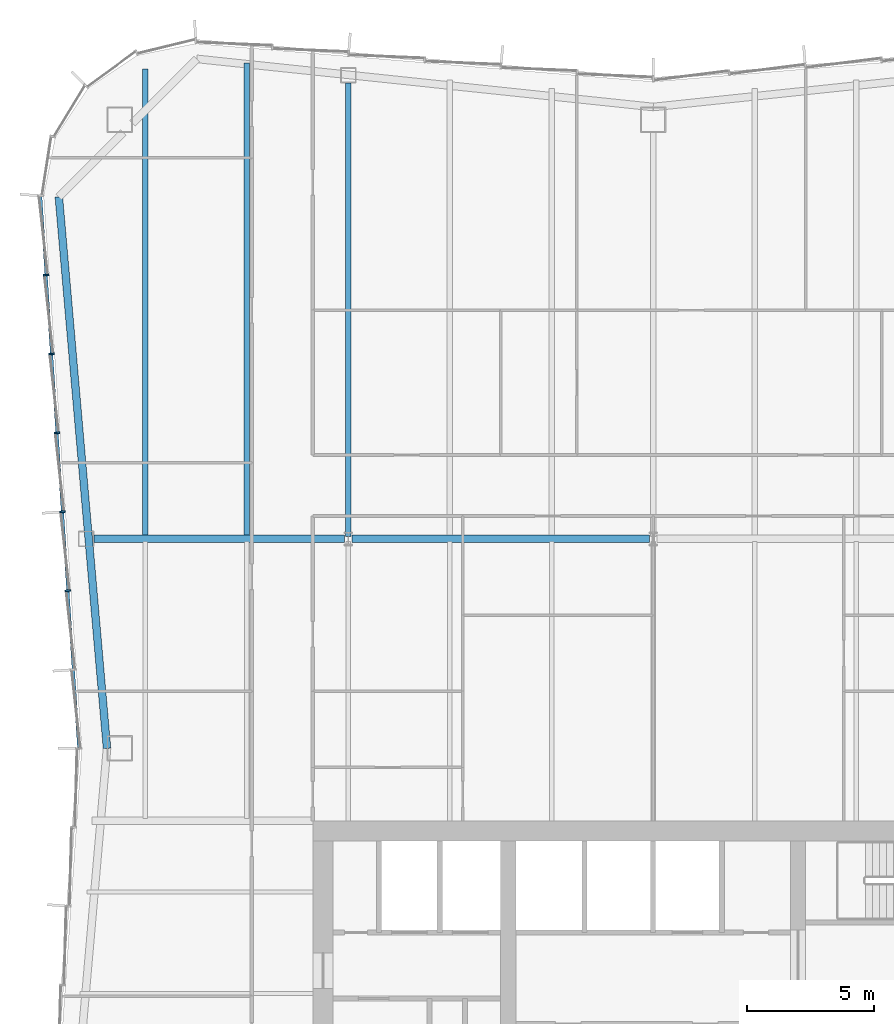
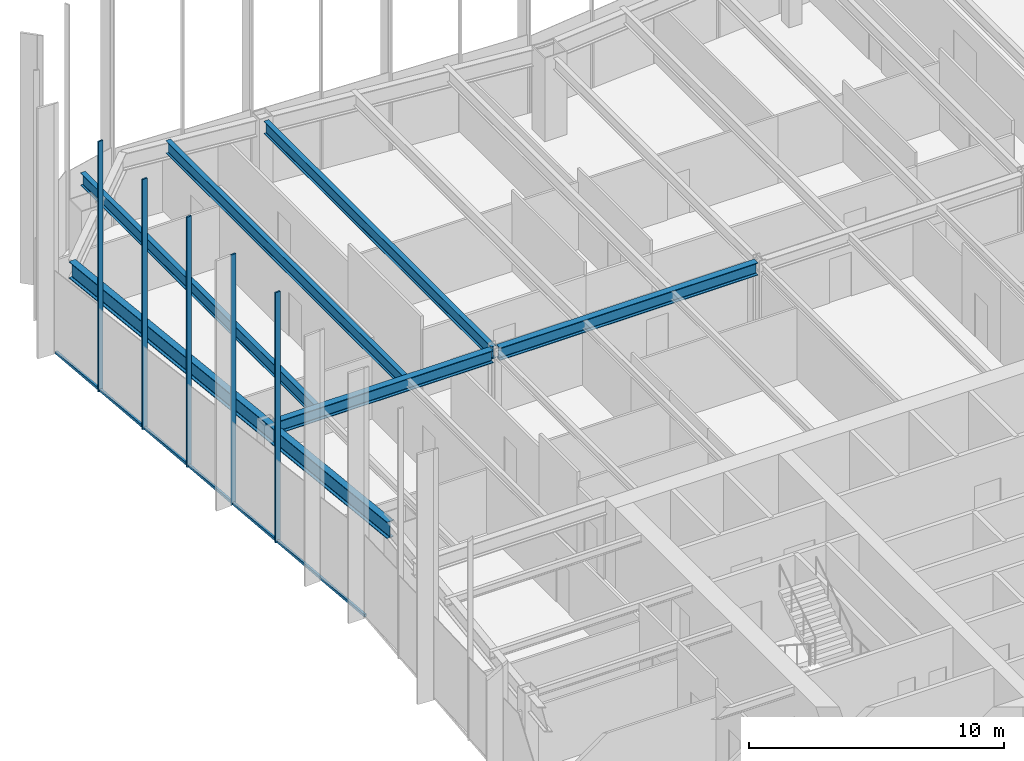
# One storey, part 6 of 15: 6 beams, 6 members, 1 element without a shape of its own.
"""IFC4 building model written with IfcOpenShell, lengths in metres."""

from ifc_helpers import new_model, si_unit, direction, frame, origin, origin_2d, place, context, subcontext, project, spatial, rectangle, i_section, extrude, material, material_profile, profile_set, type_object, element, aggregate, save


model = new_model("IFC4")

# Units and contexts
model_context = context("Model", 3, precision=1e-05, world=origin(), true_north=direction((0.0, 1.0)))
body_context = subcontext(model_context, "Body", "Model", "MODEL_VIEW")
ifc_project = project(units=[si_unit("LENGTHUNIT", "METRE"), si_unit("AREAUNIT", "SQUARE_METRE"), si_unit("VOLUMEUNIT", "CUBIC_METRE"), si_unit("PLANEANGLEUNIT", "RADIAN"), si_unit("MASSUNIT", "GRAM", prefix="KILO")], contexts=[model_context])

# Site, building, storey
site_placement = place(None, origin())
site = spatial("IfcSite", under=ifc_project, at=site_placement, CompositionType="ELEMENT")
building_placement = place(site_placement, origin())
building = spatial("IfcBuilding", under=site, at=building_placement, Name="Verdant Reach Tower", CompositionType="ELEMENT")
storey_placement = place(building_placement, frame((0.0, 0.0, 250.0)))
storey = spatial("IfcBuildingStorey", under=building, at=storey_placement, Name="L57", CompositionType="ELEMENT", Elevation=250.0)

# Curtain wall, members
ifc_material_1 = material(Name="Anodised aluminium", Category="aluminium")
curtain_wall_type = type_object("IfcCurtainWallType", Name="EN-CW SYSTEM Z4", PredefinedType="NOTDEFINED", material=ifc_material_1)
curtain_wall_placement = place(storey_placement, origin())
curtain_wall = element("IfcCurtainWall", 1, at=curtain_wall_placement, inside=storey, type_object=curtain_wall_type, Name="Curtain wall west, L57", PredefinedType="NOTDEFINED")
ifc_material_profile_1 = material_profile(ifc_material_1, rectangle(XDim=0.22412109375, YDim=0.068115234375, at=origin_2d()), Name="Mullion 68x224")
ifc_profile_set_1 = profile_set([ifc_material_profile_1], Name="Anodised aluminium")
member_type_1 = type_object("IfcMemberType", Name="EN-MULLION Z4", PredefinedType="MULLION", material=ifc_profile_set_1)
member_1_placement = place(storey_placement, frame((-23.8974609375, 59.88525390625, -0.35009765625), z_axis=(0.0, 0.0, 1.0), x_axis=(-0.997630328423, -0.068802091615, 0.0)))
member_1 = element("IfcMember", 2, at=member_1_placement, type_object=member_type_1, Name="Mullion west face part 1 2, L57", PredefinedType="MULLION", context=body_context, shape_type="SweptSolid", body=[
    extrude(rectangle(XDim=0.22412109375, YDim=0.068115234375, at=origin_2d()), origin(), (0.0, 0.0, 1.0), 12.0),
])
member_2_placement = place(storey_placement, frame((-23.68310546875, 56.778076171875, -0.35009765625), z_axis=(0.0, 0.0, 1.0), x_axis=(-0.997630328423, -0.068802091615, 0.0)))
member_2 = element("IfcMember", 3, at=member_2_placement, type_object=member_type_1, Name="Mullion west face part 1 3, L57", PredefinedType="MULLION", context=body_context, shape_type="SweptSolid", body=[
    extrude(rectangle(XDim=0.22412109375, YDim=0.068115234375, at=origin_2d()), origin(), (0.0, 0.0, 1.0), 12.0),
])
member_3_placement = place(storey_placement, frame((-23.468994140625, 53.6708984375, -0.35009765625), z_axis=(0.0, 0.0, 1.0), x_axis=(-0.997630328423, -0.068802091615, 0.0)))
member_3 = element("IfcMember", 4, at=member_3_placement, type_object=member_type_1, Name="Mullion west face part 1 4, L57", PredefinedType="MULLION", context=body_context, shape_type="SweptSolid", body=[
    extrude(rectangle(XDim=0.22412109375, YDim=0.068115234375, at=origin_2d()), origin(), (0.0, 0.0, 1.0), 12.0),
])
member_4_placement = place(storey_placement, frame((-23.254638671875, 50.563720703125, -0.35009765625), z_axis=(0.0, 0.0, 1.0), x_axis=(-0.997630328423, -0.068802091615, 0.0)))
member_4 = element("IfcMember", 5, at=member_4_placement, type_object=member_type_1, Name="Mullion west face part 1 5, L57", PredefinedType="MULLION", context=body_context, shape_type="SweptSolid", body=[
    extrude(rectangle(XDim=0.22412109375, YDim=0.068115234375, at=origin_2d()), origin(), (0.0, 0.0, 1.0), 12.0),
])
member_5_placement = place(storey_placement, frame((-23.040283203125, 47.45654296875, -0.35009765625), z_axis=(0.0, 0.0, 1.0), x_axis=(-0.997630328423, -0.068802091615, 0.0)))
member_5 = element("IfcMember", 6, at=member_5_placement, type_object=member_type_1, Name="Mullion west face part 1 6, L57", PredefinedType="MULLION", context=body_context, shape_type="SweptSolid", body=[
    extrude(rectangle(XDim=0.22412109375, YDim=0.068115234375, at=origin_2d()), origin(), (0.0, 0.0, 1.0), 12.0),
])
ifc_material_profile_2 = material_profile(ifc_material_1, rectangle(XDim=0.10009765625, YDim=0.1279296875, at=origin_2d()), Name="Transom 128x100")
ifc_profile_set_2 = profile_set([ifc_material_profile_2], Name="Anodised aluminium")
member_type_2 = type_object("IfcMemberType", Name="EN-TRANSOM Z4", PredefinedType="USERDEFINED", material=ifc_profile_set_2)
member_6_placement = place(storey_placement, frame((-24.109375, 62.97314453125, -0.285888671875), z_axis=(0.068770489035, -0.997632507408, 0.0), x_axis=(0.997632507408, 0.068770489035, 0.0)))
member_6 = element("IfcMember", 7, at=member_6_placement, type_object=member_type_2, Name="Transom west face part 1 1.1, L57", ObjectType="TRANSOM", PredefinedType="USERDEFINED", context=body_context, shape_type="SweptSolid", body=[
    extrude(rectangle(XDim=0.10009765625, YDim=0.1279296875, at=origin_2d()), origin(), (0.0, 0.0, 1.0), 21.74072265625),
])
aggregate(curtain_wall, [member_1, member_2, member_3, member_4, member_5, member_6])

# Beams
ifc_material_2 = material(Name="Steel S355", Category="steel")
ifc_material_profile_3 = material_profile(ifc_material_2, i_section(OverallWidth=0.300048828125, OverallDepth=0.60009765625, WebThickness=0.015380859375, FlangeThickness=0.030029296875, FilletRadius=0.027099609375, at=origin_2d()), Name="HEB 600")
ifc_profile_set_3 = profile_set([ifc_material_profile_3], Name="Steel S355")
beam_type_1 = type_object("IfcBeamType", Name="ST-BEAM-HEB600", PredefinedType="BEAM", material=ifc_profile_set_3)
beam_1_placement = place(storey_placement, frame((-22.01904296875, 49.5, 3.570068359375), z_axis=(1.0, 0.0, 0.0), x_axis=(0.0, 1.0, 0.0)))
element("IfcBeam", 8, at=beam_1_placement, inside=storey, type_object=beam_type_1, Name="Row girder, L57", PredefinedType="BEAM", context=body_context, shape_type="SweptSolid", body=[
    extrude(i_section(OverallWidth=0.300048828125, OverallDepth=0.60009765625, WebThickness=0.015380859375, FlangeThickness=0.030029296875, FilletRadius=0.027099609375, at=origin_2d()), origin(), (0.0, 0.0, 1.0), 9.865966796875),
])
beam_2_placement = place(storey_placement, frame((-11.846923828125, 49.5, 3.570068359375), z_axis=(1.0, 0.0, 0.0), x_axis=(0.0, 1.0, 0.0)))
element("IfcBeam", 9, at=beam_2_placement, inside=storey, type_object=beam_type_1, Name="Row girder, L57", PredefinedType="BEAM", context=body_context, shape_type="SweptSolid", body=[
    extrude(i_section(OverallWidth=0.300048828125, OverallDepth=0.60009765625, WebThickness=0.015380859375, FlangeThickness=0.030029296875, FilletRadius=0.027099609375, at=origin_2d()), origin(), (0.0, 0.0, 1.0), 11.69384765625),
])
ifc_material_profile_4 = material_profile(ifc_material_2, i_section(OverallWidth=0.219970703125, OverallDepth=0.60009765625, WebThickness=0.011962890625, FlangeThickness=0.01904296875, FilletRadius=0.02392578125, at=origin_2d()), Name="IPE 600")
ifc_profile_set_4 = profile_set([ifc_material_profile_4], Name="Steel S355")
beam_type_2 = type_object("IfcBeamType", Name="ST-JOIST-IPE600", PredefinedType="JOIST", material=ifc_profile_set_4)
beam_3_placement = place(storey_placement, frame((-20.0, 49.60009765625, 3.570068359375), z_axis=(0.0, 1.0, 0.0), x_axis=(-1.0, 0.0, 0.0)))
element("IfcBeam", 10, at=beam_3_placement, inside=storey, type_object=beam_type_2, Name="Floor joist, L57", PredefinedType="JOIST", context=body_context, shape_type="SweptSolid", body=[
    extrude(i_section(OverallWidth=0.219970703125, OverallDepth=0.60009765625, WebThickness=0.011962890625, FlangeThickness=0.01904296875, FilletRadius=0.02392578125, at=origin_2d()), origin(), (0.0, 0.0, 1.0), 18.390380859375),
])
beam_4_placement = place(storey_placement, frame((-16.0, 49.60009765625, 3.570068359375), z_axis=(0.0, 1.0, 0.0), x_axis=(-1.0, 0.0, 0.0)))
element("IfcBeam", 11, at=beam_4_placement, inside=storey, type_object=beam_type_2, Name="Floor joist, L57", PredefinedType="JOIST", context=body_context, shape_type="SweptSolid", body=[
    extrude(i_section(OverallWidth=0.219970703125, OverallDepth=0.60009765625, WebThickness=0.011962890625, FlangeThickness=0.01904296875, FilletRadius=0.02392578125, at=origin_2d()), origin(), (0.0, 0.0, 1.0), 18.631103515625),
])
beam_5_placement = place(storey_placement, frame((-12.0, 49.60009765625, 3.570068359375), z_axis=(0.0, 1.0, 0.0), x_axis=(-1.0, 0.0, 0.0)))
element("IfcBeam", 12, at=beam_5_placement, inside=storey, type_object=beam_type_2, Name="Floor joist, L57", PredefinedType="JOIST", context=body_context, shape_type="SweptSolid", body=[
    extrude(i_section(OverallWidth=0.219970703125, OverallDepth=0.60009765625, WebThickness=0.011962890625, FlangeThickness=0.01904296875, FilletRadius=0.02392578125, at=origin_2d()), origin(), (0.0, 0.0, 1.0), 17.849853515625),
])
ifc_material_profile_5 = material_profile(ifc_material_2, i_section(OverallWidth=0.300048828125, OverallDepth=0.800048828125, WebThickness=0.017578125, FlangeThickness=0.032958984375, FilletRadius=0.030029296875, at=origin_2d()), Name="HEB 800")
ifc_profile_set_5 = profile_set([ifc_material_profile_5], Name="Steel S355")
beam_type_3 = type_object("IfcBeamType", Name="ST-SPANDREL-HEB800", PredefinedType="SPANDREL", material=ifc_profile_set_5)
beam_6_placement = place(storey_placement, frame((-21.5, 41.25, 3.469970703125), z_axis=(-0.086996024331, 0.996208658741, 0.0), x_axis=(-0.996208658741, -0.086996024331, 0.0)))
element("IfcBeam", 13, at=beam_6_placement, inside=storey, type_object=beam_type_3, Name="Edge beam, L57", PredefinedType="SPANDREL", context=body_context, shape_type="SweptSolid", body=[
    extrude(i_section(OverallWidth=0.300048828125, OverallDepth=0.800048828125, WebThickness=0.017578125, FlangeThickness=0.032958984375, FilletRadius=0.030029296875, at=origin_2d()), origin(), (0.0, 0.0, 1.0), 21.7939453125),
])

save(model, "model.ifc")
